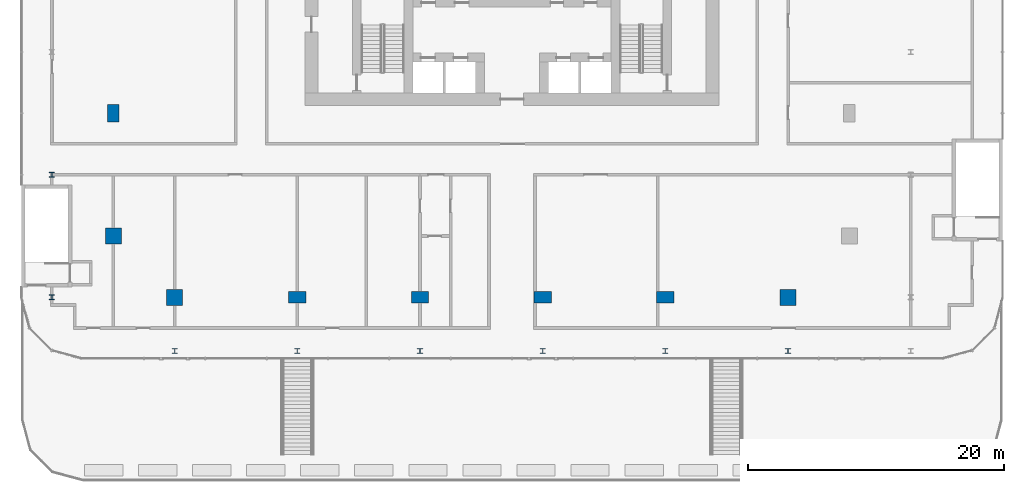
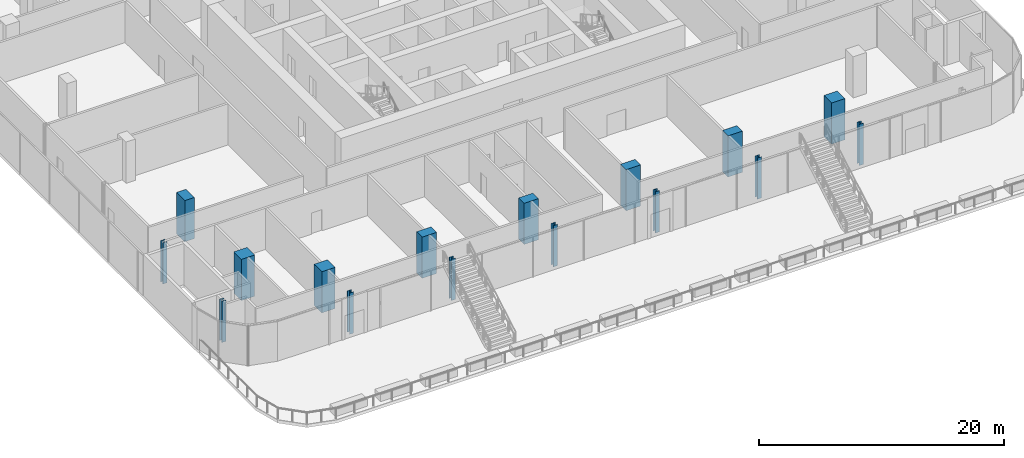
# One storey, part 1 of 32: 16 columns.
"""IFC4 building model written with IfcOpenShell, lengths in metres."""

from ifc_helpers import new_model, si_unit, direction, frame, origin, origin_2d, place, context, subcontext, project, spatial, rectangle, i_section, extrude, material, material_profile, profile_set, type_object, element, save


model = new_model("IFC4")

# Units and contexts
model_context = context("Model", 3, precision=1e-05, world=origin(), true_north=direction((0.0, 1.0)))
body_context = subcontext(model_context, "Body", "Model", "MODEL_VIEW")
ifc_project = project(units=[si_unit("LENGTHUNIT", "METRE"), si_unit("AREAUNIT", "SQUARE_METRE"), si_unit("VOLUMEUNIT", "CUBIC_METRE"), si_unit("PLANEANGLEUNIT", "RADIAN"), si_unit("MASSUNIT", "GRAM", prefix="KILO")], contexts=[model_context])

# Site, building, storey
site_placement = place(None, origin())
site = spatial("IfcSite", under=ifc_project, at=site_placement, CompositionType="ELEMENT")
building_placement = place(site_placement, origin())
building = spatial("IfcBuilding", under=site, at=building_placement, Name="Madar Terraces", CompositionType="ELEMENT")
storey_placement = place(building_placement, frame((0.0, 0.0, 19.5)))
storey = spatial("IfcBuildingStorey", under=building, at=storey_placement, Name="L04", CompositionType="ELEMENT", Elevation=19.5)

# Columns
ifc_material_1 = material(Name="Concrete C80/95", Category="concrete")
ifc_material_profile_1 = material_profile(ifc_material_1, rectangle(XDim=1.35009765625, YDim=0.89990234375, at=origin_2d()), Name="CC1 RC 1350x900")
ifc_profile_set_1 = profile_set([ifc_material_profile_1], Name="Concrete C80/95")
column_type_1 = type_object("IfcColumnType", Name="CC1 RC 1350x900", PredefinedType="COLUMN", material=ifc_profile_set_1)
for number, where, z_axis, x_axis, name in (
    (1, (14.39990234375, 0.0, 0.0), (0.0, 0.0, 1.0), (1.0, 0.0, 0.0), "Perimeter column S2"),
    (2, (24.0, 0.0, 0.0), (0.0, 0.0, 1.0), (1.0, 0.0, 0.0), "Perimeter column S3"),
    (3, (33.60009765625, 0.0, 0.0), (0.0, 0.0, 1.0), (1.0, 0.0, 0.0), "Perimeter column S4"),
    (4, (43.199951171875, 0.0, 0.0), (0.0, 0.0, 1.0), (1.0, 0.0, 0.0), "Perimeter column S5"),
    (5, (0.0, 14.39990234375, 0.0), (0.0, 0.0, 1.0), (0.0, 1.0, 0.0), "Perimeter column W4"),
):
    element("IfcColumn", number, at=place(storey_placement, frame(where, z_axis=z_axis, x_axis=x_axis)), inside=storey, type_object=column_type_1, Name=name, PredefinedType="COLUMN", context=body_context, shape_type="SweptSolid", body=[
        extrude(rectangle(XDim=1.35009765625, YDim=0.89990234375, at=origin_2d()), origin(), (0.0, 0.0, 1.0), 4.10009765625),
    ])
ifc_material_2 = material(Name="Concrete C80/95", Category="concrete")
ifc_material_profile_2 = material_profile(ifc_material_2, rectangle(XDim=1.25, YDim=1.25, at=origin_2d()), Name="KC1 RC 1250x1250")
ifc_profile_set_2 = profile_set([ifc_material_profile_2], Name="Concrete C80/95")
column_type_2 = type_object("IfcColumnType", Name="KC1 RC 1250x1250", PredefinedType="COLUMN", material=ifc_profile_set_2)
for number, where, z_axis, x_axis, name in (
    (6, (4.800048828125, 0.0, 0.0), (0.0, 0.0, 1.0), (1.0, 0.0, 0.0), "Perimeter column S1"),
    (7, (52.800048828125, 0.0, 0.0), (0.0, 0.0, 1.0), (1.0, 0.0, 0.0), "Perimeter column S6"),
    (8, (0.0, 4.800048828125, 0.0), (0.0, 0.0, 1.0), (1.0, 0.0, 0.0), "Perimeter column W5"),
):
    element("IfcColumn", number, at=place(storey_placement, frame(where, z_axis=z_axis, x_axis=x_axis)), inside=storey, type_object=column_type_2, Name=name, PredefinedType="COLUMN", context=body_context, shape_type="SweptSolid", body=[
        extrude(rectangle(XDim=1.25, YDim=1.25, at=origin_2d()), origin(), (0.0, 0.0, 1.0), 4.10009765625),
    ])
ifc_material_3 = material(Name="Steel ASTM A992 Grade 50", Category="steel")
ifc_material_profile_3 = material_profile(ifc_material_3, i_section(OverallWidth=0.396240234375, OverallDepth=0.381103515625, WebThickness=0.01904296875, FlangeThickness=0.0302734375, at=origin_2d()), Name="W14x159")
ifc_profile_set_3 = profile_set([ifc_material_profile_3], Name="Steel ASTM A992 Grade 50")
column_type_3 = type_object("IfcColumnType", Name="PC2 W14x159", PredefinedType="COLUMN", material=ifc_profile_set_3)
for number, where, z_axis, x_axis, name in (
    (9, (-4.800048828125, 0.0, 0.0), (0.0, 0.0, 1.0), (1.0, 0.0, 0.0), "Podium column PC2"),
    (10, (-4.800048828125, 9.60009765625, 0.0), (0.0, 0.0, 1.0), (1.0, 0.0, 0.0), "Podium column PC2"),
    (11, (4.800048828125, -4.199951171875, 0.0), (0.0, 0.0, 1.0), (1.0, 0.0, 0.0), "Podium column PC2"),
    (12, (14.39990234375, -4.199951171875, 0.0), (0.0, 0.0, 1.0), (1.0, 0.0, 0.0), "Podium column PC2"),
    (13, (24.0, -4.199951171875, 0.0), (0.0, 0.0, 1.0), (1.0, 0.0, 0.0), "Podium column PC2"),
    (14, (33.60009765625, -4.199951171875, 0.0), (0.0, 0.0, 1.0), (1.0, 0.0, 0.0), "Podium column PC2"),
    (15, (43.199951171875, -4.199951171875, 0.0), (0.0, 0.0, 1.0), (1.0, 0.0, 0.0), "Podium column PC2"),
    (16, (52.800048828125, -4.199951171875, 0.0), (0.0, 0.0, 1.0), (1.0, 0.0, 0.0), "Podium column PC2"),
):
    element("IfcColumn", number, at=place(storey_placement, frame(where, z_axis=z_axis, x_axis=x_axis)), inside=storey, type_object=column_type_3, Name=name, PredefinedType="COLUMN", context=body_context, shape_type="SweptSolid", body=[
        extrude(i_section(OverallWidth=0.396240234375, OverallDepth=0.381103515625, WebThickness=0.01904296875, FlangeThickness=0.0302734375, at=origin_2d()), origin(), (0.0, 0.0, 1.0), 4.10009765625),
    ])

save(model, "model.ifc")
